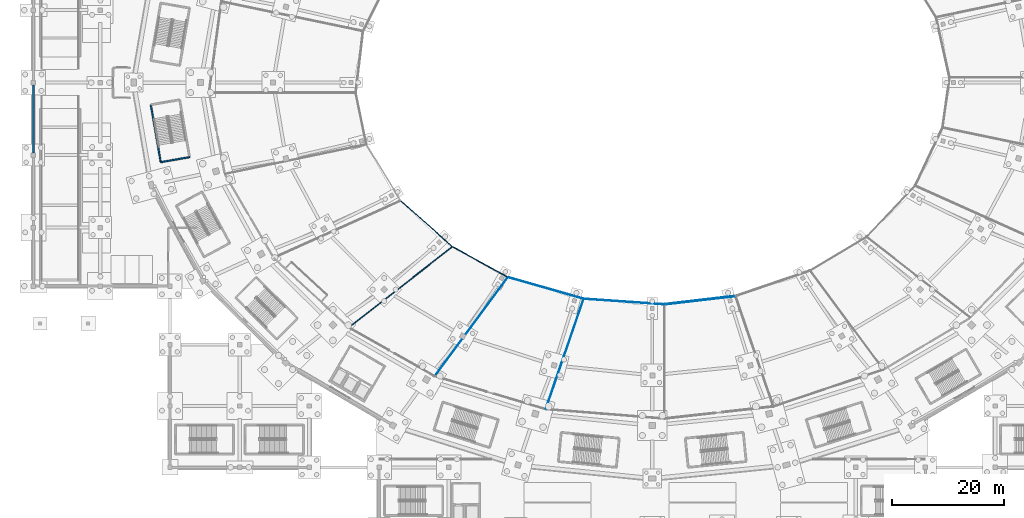
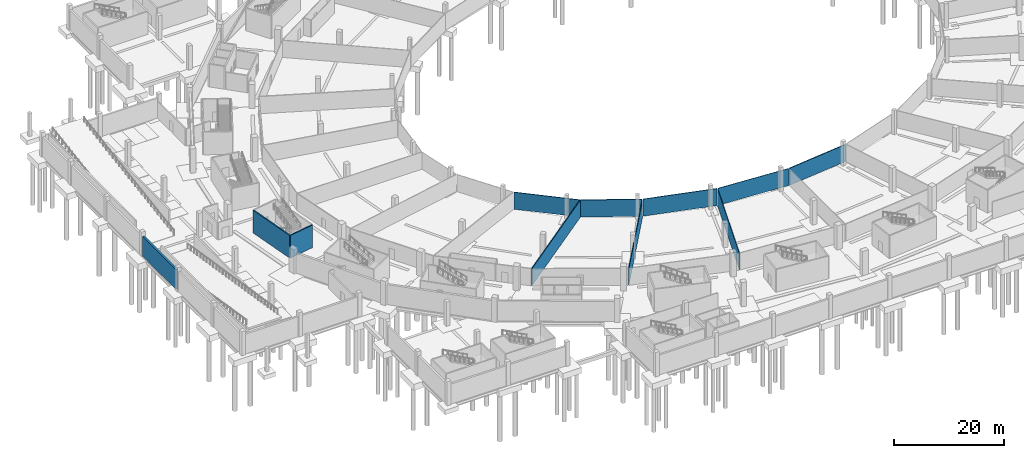
# One storey, part 35 of 74: 11 walls.
"""IFC4 building model written with IfcOpenShell, lengths in metres."""

import ifcopenshell
import ifcopenshell.guid

model = None  # the IFC model being written
_history = None  # IfcOwnerHistory: only IFC2X3 demands one
_inside = {}  # id of a spatial element -> (the spatial element, [elements in it])
_under = {}  # id of a project, library or spatial element -> (it, [spatial elements below it])
_declared = {}  # id of a project -> (the project, [libraries it declares])
_typed = {}  # id of a type object -> (the type object, [elements of that type])
_made_of = {}  # id of a material, layer set ... -> (it, [elements and type objects made of it])


def new_model(schema):
    """Start an empty IFC model of exactly this schema.

    Asked for "IFC4X3", IfcOpenShell would pick the latest addendum, in which some entities
    have other attributes; the version numbers below select the first issue.
    IFC2X3 requires an IfcOwnerHistory on every rooted entity: one is made here for all.
    """
    global model, _history
    if schema == "IFC4X3":
        model = ifcopenshell.file(schema_version=(4, 3, 0, 0))
    else:
        model = ifcopenshell.file(schema=schema)
    _inside.clear()
    _under.clear()
    _declared.clear()
    _typed.clear()
    _made_of.clear()
    _history = None
    if model.schema == "IFC2X3":
        org = make("IfcOrganization", Name="unknown")
        user = make(
            "IfcPersonAndOrganization",
            ThePerson=make("IfcPerson", FamilyName="unknown"),
            TheOrganization=org,
        )
        app = make(
            "IfcApplication",
            ApplicationDeveloper=org,
            Version="unknown",
            ApplicationFullName="unknown",
            ApplicationIdentifier="unknown",
        )
        _history = make(
            "IfcOwnerHistory",
            OwningUser=user,
            OwningApplication=app,
            ChangeAction="ADDED",
            CreationDate=0,
        )
    return model


def make(cls, **values):
    """One entity of the class cls with the attributes given. An attribute that is None is left unset."""
    return model.create_entity(
        cls, **{name: value for name, value in values.items() if value is not None}
    )


def rooted(cls, **values):
    """An entity with a GlobalId (a new one), such as an element, a storey or a relation."""
    return make(cls, GlobalId=ifcopenshell.guid.new(), OwnerHistory=_history, **values)


def si_unit(unit_type, name, prefix=None):
    """IfcSIUnit, for example si_unit("LENGTHUNIT", "METRE", prefix="MILLI")."""
    return make("IfcSIUnit", UnitType=unit_type, Prefix=prefix, Name=name)


def assignment(units):
    """IfcUnitAssignment: the units of a project."""
    return None if units is None else make("IfcUnitAssignment", Units=units)


def point(xyz):
    """IfcCartesianPoint."""
    return None if xyz is None else make("IfcCartesianPoint", Coordinates=xyz)


def direction(xyz):
    """IfcDirection."""
    return None if xyz is None else make("IfcDirection", DirectionRatios=xyz)


def frame(location, z_axis=None, x_axis=None):
    """IfcAxis2Placement3D, a coordinate frame: its origin and axes. An axis left out is left unset."""
    return make(
        "IfcAxis2Placement3D",
        Location=point(location),
        Axis=direction(z_axis),
        RefDirection=direction(x_axis),
    )


def frame_2d(location, x_axis=None):
    """IfcAxis2Placement2D, a coordinate frame in the plane: its origin and x axis."""
    return make(
        "IfcAxis2Placement2D", Location=point(location), RefDirection=direction(x_axis)
    )


def origin():
    """The frame at (0, 0, 0) with its axes left unset."""
    return frame((0.0, 0.0, 0.0))


def place(relative_to, where):
    """IfcLocalPlacement: puts the frame where relative to a parent placement (None: the world)."""
    return make(
        "IfcLocalPlacement", PlacementRelTo=relative_to, RelativePlacement=where
    )


def context(
    kind, dimensions, precision=None, world=None, true_north=None, identifier=None
):
    """IfcGeometricRepresentationContext, for example the 3D "Model" context."""
    return make(
        "IfcGeometricRepresentationContext",
        ContextIdentifier=identifier,
        ContextType=kind,
        CoordinateSpaceDimension=dimensions,
        Precision=precision,
        WorldCoordinateSystem=world,
        TrueNorth=true_north,
    )


def subcontext(parent, identifier, kind, view, scale=None):
    """IfcGeometricRepresentationSubContext, for example "Body" below "Model"."""
    return make(
        "IfcGeometricRepresentationSubContext",
        ContextIdentifier=identifier,
        ContextType=kind,
        ParentContext=parent,
        TargetScale=scale,
        TargetView=view,
    )


def project(units=None, contexts=None):
    """IfcProject with its units and contexts."""
    return rooted(
        "IfcProject",
        Name="project",
        RepresentationContexts=contexts,
        UnitsInContext=assignment(units),
    )


def spatial(cls, under=None, at=None, **own):
    """A site, building, storey or space (cls), placed at a placement, below another one or the project."""
    s = rooted(cls, ObjectPlacement=at, **own)
    if under is not None:
        _under.setdefault(under.id(), (under, []))[1].append(s)
    return s


def profile(cls, at=None, kind="AREA", **sizes):
    """A parametric profile (cls). Its sizes go by their IFC names, for example OverallWidth=200.0."""
    return make(cls, ProfileType=kind, Position=at, **sizes)


def rectangle(**sizes):
    """IfcRectangleProfileDef."""
    return profile("IfcRectangleProfileDef", **sizes)


def extrude(swept, where, along, depth):
    """IfcExtrudedAreaSolid: the profile swept, set in the frame where, extruded along a direction by depth."""
    return make(
        "IfcExtrudedAreaSolid",
        SweptArea=swept,
        Position=where,
        ExtrudedDirection=direction(along),
        Depth=depth,
    )


def shape(context_of_items, identifier, shape_type, items):
    """IfcShapeRepresentation: the items that make up one representation, for example the "Body"."""
    return make(
        "IfcShapeRepresentation",
        ContextOfItems=context_of_items,
        RepresentationIdentifier=identifier,
        RepresentationType=shape_type,
        Items=items,
    )


def material(Name=None, Category=None):
    """IfcMaterial."""
    return make("IfcMaterial", Name=Name, Category=Category)


def layer(
    of_material, thickness, ventilated=None, Name=None, Category=None, Priority=None
):
    """IfcMaterialLayer: one layer of a wall or slab, of a material (None: an air gap)."""
    return make(
        "IfcMaterialLayer",
        Material=of_material,
        LayerThickness=thickness,
        IsVentilated=ventilated,
        Name=Name,
        Category=Category,
        Priority=Priority,
    )


def layer_set(layers, Name=None):
    """IfcMaterialLayerSet."""
    return make("IfcMaterialLayerSet", MaterialLayers=layers, LayerSetName=Name)


def made_of(thing, what):
    """Note that an element or type object is made of a material, layer set ...; save() writes the relation."""
    if what is not None:
        _made_of.setdefault(what.id(), (what, []))[1].append(thing)
    return thing


def type_object(cls, material=None, **own):
    """A type object (cls), such as IfcWallType, which elements share."""
    return made_of(rooted(cls, **own), material)


def element(
    cls,
    number,
    at=None,
    inside=None,
    cuts=None,
    type_object=None,
    material=None,
    context=None,
    identifier="Body",
    shape_type=None,
    held_by="IfcProductDefinitionShape",
    body=None,
    shapes=None,
    **own,
):
    """One element of the class cls, such as IfcWall. Its Tag is "e" and its number.

    at: its placement. inside: the storey or other place that contains it. cuts: it is an
    opening in that element (IfcRelVoidsElement). A single representation is given by context,
    identifier, shape_type and body (its items); several are given by shapes. held_by: the class
    of the entity that holds the representations. save() writes the other relations.
    """
    e = rooted(cls, Tag="e%d" % number, ObjectPlacement=at, **own)
    if body is not None:
        shapes = [shape(context, identifier, shape_type, body)]
    if shapes is not None:
        e.Representation = make(held_by, Representations=shapes)
    if inside is not None:
        _inside.setdefault(inside.id(), (inside, []))[1].append(e)
    if cuts is not None:
        rooted(
            "IfcRelVoidsElement", RelatingBuildingElement=cuts, RelatedOpeningElement=e
        )
    if type_object is not None:
        _typed.setdefault(type_object.id(), (type_object, []))[1].append(e)
    return made_of(e, material)


def aggregate(whole, parts):
    """IfcRelAggregates: a whole, such as a stair, and the parts it consists of."""
    return rooted("IfcRelAggregates", RelatingObject=whole, RelatedObjects=parts)


def save(model, path):
    """Write the relations noted so far, then the file.

    IfcRelAggregates (storeys below a building ...), IfcRelContainedInSpatialStructure (elements
    in a storey), IfcRelDefinesByType, IfcRelAssociatesMaterial and IfcRelDeclares: one each for
    every whole, place, type object, material and project.
    """
    for whole, parts in _under.values():
        aggregate(whole, parts)
    for where, things in _inside.values():
        rooted(
            "IfcRelContainedInSpatialStructure",
            RelatedElements=things,
            RelatingStructure=where,
        )
    for kind, things in _typed.values():
        rooted("IfcRelDefinesByType", RelatedObjects=things, RelatingType=kind)
    for what, things in _made_of.values():
        rooted("IfcRelAssociatesMaterial", RelatedObjects=things, RelatingMaterial=what)
    for by, libraries in _declared.values():
        rooted("IfcRelDeclares", RelatingContext=by, RelatedDefinitions=libraries)
    model.write(path)


model = new_model("IFC4")

# Units and contexts
model_context = context("Model", 3, precision=1e-05, world=origin(), true_north=direction((0.0, 1.0)))
body_context = subcontext(model_context, "Body", "Model", "MODEL_VIEW")
ifc_project = project(units=[si_unit("LENGTHUNIT", "METRE"), si_unit("AREAUNIT", "SQUARE_METRE"), si_unit("VOLUMEUNIT", "CUBIC_METRE"), si_unit("PLANEANGLEUNIT", "RADIAN"), si_unit("MASSUNIT", "GRAM", prefix="KILO")], contexts=[model_context])

# Site, building, storey
site_placement = place(None, origin())
site = spatial("IfcSite", under=ifc_project, at=site_placement, CompositionType="ELEMENT")
building_placement = place(site_placement, origin())
building = spatial("IfcBuilding", under=site, at=building_placement, Name="Zlatoyarsky Gate Stadium", CompositionType="ELEMENT")
storey_placement = place(building_placement, frame((0.0, 0.0, -5.39990234375)))
storey = spatial("IfcBuildingStorey", under=building, at=storey_placement, Name="B1", CompositionType="ELEMENT", Elevation=-5.39990234375)

# Walls
ifc_material_1 = material(Name="Double-stud acoustic gypsum partition", Category="gypsum")
ifc_layer_1 = layer(ifc_material_1, 0.169921875)
ifc_layer_set_1 = layer_set([ifc_layer_1], Name="Double-stud acoustic gypsum partition")
wall_type_1 = type_object("IfcWallType", Name="ACOUSTIC BROADCAST STUDIO WALL 170", PredefinedType="PARTITIONING", material=ifc_layer_set_1)
wall_1_placement = place(storey_placement, frame((75.097900390625, 50.518798828125, 0.0), z_axis=(0.0, 0.0, 1.0), x_axis=(-0.788574788592, -0.614938861023, 0.0)))
element("IfcWall", 1, at=wall_1_placement, inside=storey, type_object=wall_type_1, Name="B1 interior partition PRT-B1-IRD-15", PredefinedType="PARTITIONING", context=body_context, shape_type="SweptSolid", body=[
    extrude(rectangle(XDim=23.421875, YDim=0.169921875, at=frame_2d((11.7109375, 0.0))), origin(), (0.0, 0.0, 1.0), 3.7998046875),
])
wall_2_placement = place(storey_placement, frame((113.273681640625, 40.225341796875, 0.0), z_axis=(0.0, 0.0, 1.0), x_axis=(0.993267536316, 0.11584300281, 0.0)))
element("IfcWall", 2, at=wall_2_placement, inside=storey, type_object=wall_type_1, Name="B1 interior partition PRT-B1-IRN-18", PredefinedType="PARTITIONING", context=body_context, shape_type="SweptSolid", body=[
    extrude(rectangle(XDim=12.67236328125, YDim=0.169921875, at=frame_2d((6.336181640625, 0.0))), origin(), (0.0, 0.0, 1.0), 3.7998046875),
])
ifc_material_2 = material(Name="Moisture-resistant masonry partition", Category="masonry")
ifc_layer_2 = layer(ifc_material_2, 0.139892578125)
ifc_layer_set_2 = layer_set([ifc_layer_2], Name="Moisture-resistant masonry partition")
wall_type_2 = type_object("IfcWallType", Name="ATHLETE CHANGING BLOCK PARTITION 140", PredefinedType="PARTITIONING", material=ifc_layer_set_2)
wall_3_placement = place(storey_placement, frame((65.94873046875, 58.757080078125, 0.0), z_axis=(0.0, 0.0, 1.0), x_axis=(0.747662340753, -0.664079079794, 0.0)))
element("IfcWall", 3, at=wall_3_placement, inside=storey, type_object=wall_type_2, Name="B1 interior partition PRT-B1-IRN-14", PredefinedType="PARTITIONING", context=body_context, shape_type="SweptSolid", body=[
    extrude(rectangle(XDim=12.24169921875, YDim=0.139892578125, at=frame_2d((6.120849609375, 0.0))), origin(), (0.0, 0.0, 1.0), 3.7998046875),
])
wall_4_placement = place(storey_placement, frame((85.05908203125, 45.0244140625, 0.0), z_axis=(0.0, 0.0, 1.0), x_axis=(-0.595164706077, -0.803603741057, 0.0)))
element("IfcWall", 4, at=wall_4_placement, inside=storey, type_object=wall_type_2, Name="B1 interior partition PRT-B1-IRD-16", PredefinedType="PARTITIONING", context=body_context, shape_type="SweptSolid", body=[
    extrude(rectangle(XDim=21.92626953125, YDim=0.139892578125, at=frame_2d((10.963134765625, 0.0))), origin(), (0.0, 0.0, 1.0), 3.7998046875),
])
ifc_material_3 = material(Name="Concrete C35/45", Category="concrete")
ifc_layer_3 = layer(ifc_material_3, 0.3798828125)
ifc_layer_set_3 = layer_set([ifc_layer_3], Name="Concrete C35/45")
wall_type_3 = type_object("IfcWallType", Name="CONCRETE RAMP RETAINING WALL 380", PredefinedType="SOLIDWALL", material=ifc_layer_set_3)
wall_5_placement = place(storey_placement, frame((0.0, 67.39697265625, 0.0), z_axis=(0.0, 0.0, 1.0), x_axis=(0.0, 1.0, 0.0)))
element("IfcWall", 5, at=wall_5_placement, inside=storey, type_object=wall_type_3, Name="V4_WEST B1 W_LO exterior wall", PredefinedType="SOLIDWALL", context=body_context, shape_type="SweptSolid", body=[
    extrude(rectangle(XDim=12.2060546875, YDim=0.3798828125, at=frame_2d((6.10302734375, 0.0))), origin(), (0.0, 0.0, 1.0), 4.429931640625),
])
ifc_material_4 = material(Name="Concrete C40/50", Category="concrete")
ifc_layer_4 = layer(ifc_material_4, 0.25)
ifc_layer_set_4 = layer_set([ifc_layer_4], Name="Concrete C40/50")
wall_type_4 = type_object("IfcWallType", Name="CONCRETE STAIR CORE SHEAR WALL 250", PredefinedType="SHEAR", material=ifc_layer_set_4)
wall_6_placement = place(storey_placement, frame((21.06396484375, 76.03125, 0.0), z_axis=(0.0, 0.0, 1.0), x_axis=(0.169938992676, -0.985454584833, 0.0)))
element("IfcWall", 6, at=wall_6_placement, inside=storey, type_object=wall_type_4, Name="ST-07 B1 stair core left shear wall", PredefinedType="SHEAR", context=body_context, shape_type="SweptSolid", body=[
    extrude(rectangle(XDim=10.4501953125, YDim=0.25, at=frame_2d((5.22509765625, 0.0))), origin(), (0.0, 0.0, 1.0), 5.0498046875),
])
wall_7_placement = place(storey_placement, frame((22.83984375, 65.733154296875, 0.0), z_axis=(0.0, 0.0, 1.0), x_axis=(0.985457162135, 0.16992404655, 0.0)))
element("IfcWall", 7, at=wall_7_placement, inside=storey, type_object=wall_type_4, Name="ST-07 B1 stair core far shear wall", PredefinedType="SHEAR", context=body_context, shape_type="SweptSolid", body=[
    extrude(rectangle(XDim=5.25, YDim=0.25, at=frame_2d((2.625, 0.0))), origin(), (0.0, 0.0, 1.0), 5.0498046875),
])
ifc_material_5 = material(Name="Acoustic metal-stud gypsum partition", Category="gypsum")
ifc_layer_5 = layer(ifc_material_5, 0.159912109375)
ifc_layer_set_5 = layer_set([ifc_layer_5], Name="Acoustic metal-stud gypsum partition")
wall_type_5 = type_object("IfcWallType", Name="HOSPITALITY SUITE PARTITION 160", PredefinedType="PARTITIONING", material=ifc_layer_set_5)
wall_8_placement = place(storey_placement, frame((75.2392578125, 50.5302734375, 0.0), z_axis=(0.0, 0.0, 1.0), x_axis=(0.875885705332, -0.482518633004, 0.0)))
element("IfcWall", 8, at=wall_8_placement, inside=storey, type_object=wall_type_5, Name="B1 interior partition PRT-B1-IRN-15", PredefinedType="PARTITIONING", context=body_context, shape_type="SweptSolid", body=[
    extrude(rectangle(XDim=11.18408203125, YDim=0.159912109375, at=frame_2d((5.592041015625, 0.0))), origin(), (0.0, 0.0, 1.0), 3.7998046875),
])
ifc_material_6 = material(Name="Metal-stud gypsum partition", Category="gypsum")
ifc_layer_6 = layer(ifc_material_6, 0.110107421875)
ifc_layer_set_6 = layer_set([ifc_layer_6], Name="Metal-stud gypsum partition")
wall_type_6 = type_object("IfcWallType", Name="KIOSK SERVICE PARTITION 110", PredefinedType="PARTITIONING", material=ifc_layer_set_6)
wall_9_placement = place(storey_placement, frame((98.668212890625, 41.130859375, 0.0), z_axis=(0.0, 0.0, 1.0), x_axis=(-0.325078783027, -0.945686938064, 0.0)))
element("IfcWall", 9, at=wall_9_placement, inside=storey, type_object=wall_type_6, Name="B1 interior partition PRT-B1-IRD-17", PredefinedType="PARTITIONING", context=body_context, shape_type="SweptSolid", body=[
    extrude(rectangle(XDim=20.77099609375, YDim=0.110107421875, at=frame_2d((10.385498046875, 0.0))), origin(), (0.0, 0.0, 1.0), 3.7998046875),
])
ifc_layer_7 = layer(ifc_material_6, 0.10009765625)
ifc_layer_set_7 = layer_set([ifc_layer_7], Name="Metal-stud gypsum partition")
wall_type_7 = type_object("IfcWallType", Name="LIGHT STORAGE PARTITION 100", PredefinedType="PARTITIONING", material=ifc_layer_set_7)
wall_10_placement = place(storey_placement, frame((98.780517578125, 41.205322265625, 0.0), z_axis=(0.0, 0.0, 1.0), x_axis=(0.997648124088, -0.068543566467, 0.0)))
element("IfcWall", 10, at=wall_10_placement, inside=storey, type_object=wall_type_7, Name="B1 interior partition PRT-B1-IRN-17", PredefinedType="PARTITIONING", context=body_context, shape_type="SweptSolid", body=[
    extrude(rectangle(XDim=14.357666015625, YDim=0.10009765625, at=frame_2d((7.1787109375, 0.0))), origin(), (0.0, 0.0, 1.0), 3.7998046875),
])
ifc_material_7 = material(Name="Moisture-resistant tile-backed partition", Category="gypsum")
ifc_layer_8 = layer(ifc_material_7, 0.1298828125)
ifc_layer_set_8 = layer_set([ifc_layer_8], Name="Moisture-resistant tile-backed partition")
wall_type_8 = type_object("IfcWallType", Name="SANITARY WET ROOM PARTITION 130", PredefinedType="PARTITIONING", material=ifc_layer_set_8)
wall_11_placement = place(storey_placement, frame((85.19140625, 45.0693359375, 0.0), z_axis=(0.0, 0.0, 1.0), x_axis=(0.96152988709, -0.274700338975, 0.0)))
element("IfcWall", 11, at=wall_11_placement, inside=storey, type_object=wall_type_8, Name="B1 interior partition PRT-B1-IRN-16", PredefinedType="PARTITIONING", context=body_context, shape_type="SweptSolid", body=[
    extrude(rectangle(XDim=13.959716796875, YDim=0.1298828125, at=frame_2d((6.97998046875, 0.0))), origin(), (0.0, 0.0, 1.0), 3.7998046875),
])

save(model, "model.ifc")
